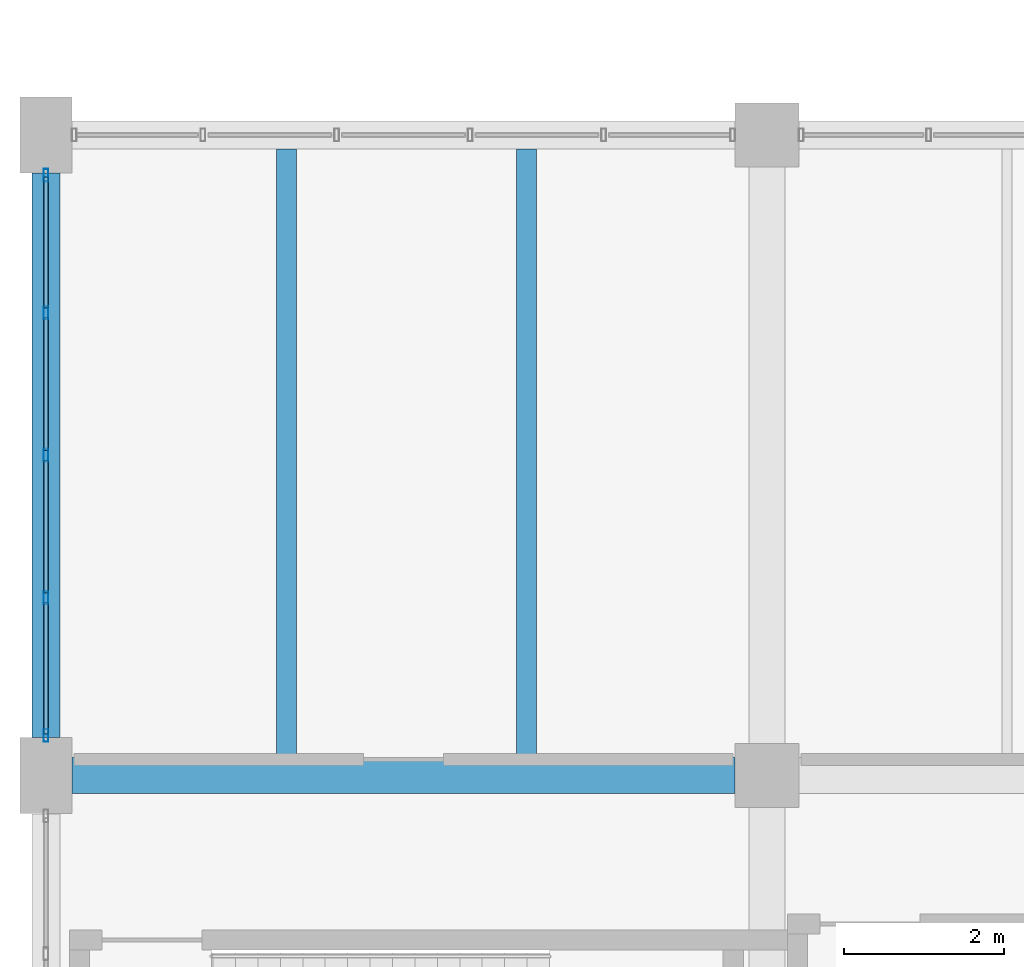
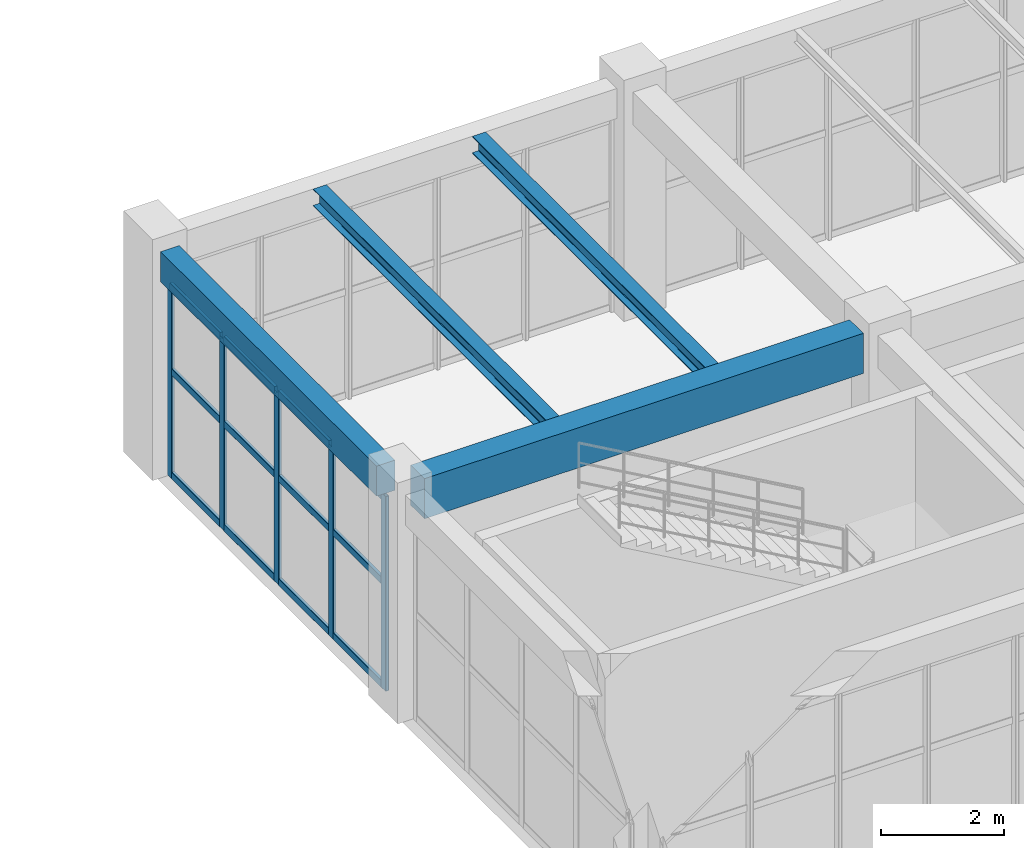
# One storey, part 13 of 178: 17 members, 4 beams, 1 element without a shape of its own.
"""IFC4 building model written with IfcOpenShell, lengths in metres."""

from ifc_helpers import new_model, si_unit, derived_unit, direction, frame, origin, origin_2d, place, context, subcontext, project, spatial, rectangle, hollow_rectangle, i_section, extrude, material, material_profile, profile_set, type_object, element, aggregate, save


model = new_model("IFC4")

# Units and contexts
model_context = context("Model", 3, precision=1e-05, world=origin(), true_north=direction((0.0, 1.0)))
body_context = subcontext(model_context, "Body", "Model", "MODEL_VIEW")
ifc_project = project(units=[si_unit("LENGTHUNIT", "METRE"), si_unit("AREAUNIT", "SQUARE_METRE"), si_unit("VOLUMEUNIT", "CUBIC_METRE"), si_unit("PLANEANGLEUNIT", "RADIAN"), si_unit("MASSUNIT", "GRAM", prefix="KILO"), derived_unit("THERMALTRANSMITTANCEUNIT", [(si_unit("MASSUNIT", "GRAM", prefix="KILO"), 1), (si_unit("TIMEUNIT", "SECOND"), -3), (si_unit("THERMODYNAMICTEMPERATUREUNIT", "KELVIN"), -1)])], contexts=[model_context])

# Site, building, storey
site_placement = place(None, origin())
site = spatial("IfcSite", under=ifc_project, at=site_placement, CompositionType="ELEMENT")
building_placement = place(site_placement, origin())
building = spatial("IfcBuilding", under=site, at=building_placement, Name="Zhenchuan Archway Interchange", CompositionType="ELEMENT")
storey_placement = place(building_placement, frame((0.0, 0.0, 5.39990234375)))
storey = spatial("IfcBuildingStorey", under=building, at=storey_placement, Name="L01", CompositionType="ELEMENT", Elevation=5.39990234375)

# Beam
ifc_material_1 = material(Name="Concrete C40", Category="concrete")
ifc_material_profile_1 = material_profile(ifc_material_1, rectangle(XDim=0.449951171875, YDim=0.800048828125, at=origin_2d()), Name="RC 450x800")
ifc_profile_set_1 = profile_set([ifc_material_profile_1], Name="Concrete C40")
beam_type_1 = type_object("IfcBeamType", Name="BM_RC_450x800", PredefinedType="BEAM", material=ifc_profile_set_1)
beam_1_placement = place(storey_placement, frame((0.324951171875, 8.0, 4.110107421875), z_axis=(1.0, 0.0, 0.0), x_axis=(0.0, 1.0, 0.0)))
element("IfcBeam", 1, at=beam_1_placement, inside=storey, type_object=beam_type_1, Name="Beam B:1-2 (L01)", PredefinedType="BEAM", context=body_context, shape_type="SweptSolid", body=[
    extrude(rectangle(XDim=0.449951171875, YDim=0.800048828125, at=origin_2d()), origin(), (0.0, 0.0, 1.0), 8.275146484375),
])

# Curtain wall, members
ifc_material_2 = material(Name="Anodised Aluminium", Category="aluminium")
curtain_wall_type = type_object("IfcCurtainWallType", Name="CW_UNIT_1", PredefinedType="NOTDEFINED", material=ifc_material_2)
curtain_wall_placement = place(storey_placement, origin())
curtain_wall = element("IfcCurtainWall", 2, at=curtain_wall_placement, inside=storey, type_object=curtain_wall_type, Name="Unitised curtain wall CW:L01:088", PredefinedType="NOTDEFINED")
ifc_material_profile_2 = material_profile(ifc_material_2, hollow_rectangle(XDim=0.06005859375, YDim=0.159912109375, WallThickness=0.00390625, InnerFilletRadius=0.00390625, OuterFilletRadius=0.008056640625, at=origin_2d()), Name="ALU 160x60x4")
ifc_profile_set_2 = profile_set([ifc_material_profile_2], Name="Anodised Aluminium")
member_type_1 = type_object("IfcMemberType", Name="CW_MUL_150", PredefinedType="MULLION", material=ifc_profile_set_2)
member_1_placement = place(storey_placement, frame((0.0, 8.5029296875, 0.0), z_axis=(0.0, 0.0, 1.0), x_axis=(1.0, 0.0, 0.0)))
member_1 = element("IfcMember", 3, at=member_1_placement, type_object=member_type_1, Name="CW:L01:088 mullion 0", PredefinedType="MULLION", context=body_context, shape_type="SweptSolid", body=[
    extrude(hollow_rectangle(XDim=0.06005859375, YDim=0.159912109375, WallThickness=0.00390625, InnerFilletRadius=0.00390625, OuterFilletRadius=0.008056640625, at=origin_2d()), origin(), (0.0, 0.0, 1.0), 3.880126953125),
])
member_2_placement = place(storey_placement, frame((0.0, 10.221435546875, 0.0), z_axis=(0.0, 0.0, 1.0), x_axis=(1.0, 0.0, 0.0)))
member_2 = element("IfcMember", 4, at=member_2_placement, type_object=member_type_1, Name="CW:L01:088 mullion 1", PredefinedType="MULLION", context=body_context, shape_type="SweptSolid", body=[
    extrude(hollow_rectangle(XDim=0.06005859375, YDim=0.159912109375, WallThickness=0.00390625, InnerFilletRadius=0.00390625, OuterFilletRadius=0.008056640625, at=origin_2d()), origin(), (0.0, 0.0, 1.0), 3.880126953125),
])
member_3_placement = place(storey_placement, frame((0.0, 12.0, 0.0), z_axis=(0.0, 0.0, 1.0), x_axis=(1.0, 0.0, 0.0)))
member_3 = element("IfcMember", 5, at=member_3_placement, type_object=member_type_1, Name="CW:L01:088 mullion 2", PredefinedType="MULLION", context=body_context, shape_type="SweptSolid", body=[
    extrude(hollow_rectangle(XDim=0.06005859375, YDim=0.159912109375, WallThickness=0.00390625, InnerFilletRadius=0.00390625, OuterFilletRadius=0.008056640625, at=origin_2d()), origin(), (0.0, 0.0, 1.0), 3.880126953125),
])
member_4_placement = place(storey_placement, frame((0.0, 13.778564453125, 0.0), z_axis=(0.0, 0.0, 1.0), x_axis=(1.0, 0.0, 0.0)))
member_4 = element("IfcMember", 6, at=member_4_placement, type_object=member_type_1, Name="CW:L01:088 mullion 3", PredefinedType="MULLION", context=body_context, shape_type="SweptSolid", body=[
    extrude(hollow_rectangle(XDim=0.06005859375, YDim=0.159912109375, WallThickness=0.00390625, InnerFilletRadius=0.00390625, OuterFilletRadius=0.008056640625, at=origin_2d()), origin(), (0.0, 0.0, 1.0), 3.880126953125),
])
member_5_placement = place(storey_placement, frame((0.0, 15.4970703125, 0.0), z_axis=(0.0, 0.0, 1.0), x_axis=(1.0, 0.0, 0.0)))
member_5 = element("IfcMember", 7, at=member_5_placement, type_object=member_type_1, Name="CW:L01:088 mullion 4", PredefinedType="MULLION", context=body_context, shape_type="SweptSolid", body=[
    extrude(hollow_rectangle(XDim=0.06005859375, YDim=0.159912109375, WallThickness=0.00390625, InnerFilletRadius=0.00390625, OuterFilletRadius=0.008056640625, at=origin_2d()), origin(), (0.0, 0.0, 1.0), 3.880126953125),
])
ifc_material_profile_3 = material_profile(ifc_material_2, hollow_rectangle(XDim=0.06005859375, YDim=0.139892578125, WallThickness=0.00341796875, InnerFilletRadius=0.00341796875, OuterFilletRadius=0.007080078125, at=origin_2d()), Name="ALU 140x60x3.5")
ifc_profile_set_3 = profile_set([ifc_material_profile_3], Name="Anodised Aluminium")
member_type_2 = type_object("IfcMemberType", Name="CW_TRN_140", PredefinedType="USERDEFINED", material=ifc_profile_set_3)
member_6_placement = place(storey_placement, frame((0.0, 8.52294921875, 0.06005859375), z_axis=(0.0, 1.0, 0.0), x_axis=(-1.0, 0.0, 0.0)))
member_6 = element("IfcMember", 8, at=member_6_placement, type_object=member_type_2, Name="CW:L01:088 transom 0-1", ObjectType="TRANSOM", PredefinedType="USERDEFINED", context=body_context, shape_type="SweptSolid", body=[
    extrude(hollow_rectangle(XDim=0.06005859375, YDim=0.139892578125, WallThickness=0.00341796875, InnerFilletRadius=0.00341796875, OuterFilletRadius=0.007080078125, at=origin_2d()), origin(), (0.0, 0.0, 1.0), 1.638671875),
])
member_7_placement = place(storey_placement, frame((0.0, 8.52294921875, 2.123046875), z_axis=(0.0, 1.0, 0.0), x_axis=(-1.0, 0.0, 0.0)))
member_7 = element("IfcMember", 9, at=member_7_placement, type_object=member_type_2, Name="CW:L01:088 transom 0-2", ObjectType="TRANSOM", PredefinedType="USERDEFINED", context=body_context, shape_type="SweptSolid", body=[
    extrude(hollow_rectangle(XDim=0.06005859375, YDim=0.139892578125, WallThickness=0.00341796875, InnerFilletRadius=0.00341796875, OuterFilletRadius=0.007080078125, at=origin_2d()), origin(), (0.0, 0.0, 1.0), 1.638671875),
])
member_8_placement = place(storey_placement, frame((0.0, 8.52294921875, 3.800048828125), z_axis=(0.0, 1.0, 0.0), x_axis=(-1.0, 0.0, 0.0)))
member_8 = element("IfcMember", 10, at=member_8_placement, type_object=member_type_2, Name="CW:L01:088 transom 0-3", ObjectType="TRANSOM", PredefinedType="USERDEFINED", context=body_context, shape_type="SweptSolid", body=[
    extrude(hollow_rectangle(XDim=0.06005859375, YDim=0.139892578125, WallThickness=0.00341796875, InnerFilletRadius=0.00341796875, OuterFilletRadius=0.007080078125, at=origin_2d()), origin(), (0.0, 0.0, 1.0), 1.638671875),
])
member_9_placement = place(storey_placement, frame((0.0, 10.281494140625, 0.06005859375), z_axis=(0.0, 1.0, 0.0), x_axis=(-1.0, 0.0, 0.0)))
member_9 = element("IfcMember", 11, at=member_9_placement, type_object=member_type_2, Name="CW:L01:088 transom 1-1", ObjectType="TRANSOM", PredefinedType="USERDEFINED", context=body_context, shape_type="SweptSolid", body=[
    extrude(hollow_rectangle(XDim=0.06005859375, YDim=0.139892578125, WallThickness=0.00341796875, InnerFilletRadius=0.00341796875, OuterFilletRadius=0.007080078125, at=origin_2d()), origin(), (0.0, 0.0, 1.0), 1.658447265625),
])
member_10_placement = place(storey_placement, frame((0.0, 10.281494140625, 2.123046875), z_axis=(0.0, 1.0, 0.0), x_axis=(-1.0, 0.0, 0.0)))
member_10 = element("IfcMember", 12, at=member_10_placement, type_object=member_type_2, Name="CW:L01:088 transom 1-2", ObjectType="TRANSOM", PredefinedType="USERDEFINED", context=body_context, shape_type="SweptSolid", body=[
    extrude(hollow_rectangle(XDim=0.06005859375, YDim=0.139892578125, WallThickness=0.00341796875, InnerFilletRadius=0.00341796875, OuterFilletRadius=0.007080078125, at=origin_2d()), origin(), (0.0, 0.0, 1.0), 1.658447265625),
])
member_11_placement = place(storey_placement, frame((0.0, 10.281494140625, 3.800048828125), z_axis=(0.0, 1.0, 0.0), x_axis=(-1.0, 0.0, 0.0)))
member_11 = element("IfcMember", 13, at=member_11_placement, type_object=member_type_2, Name="CW:L01:088 transom 1-3", ObjectType="TRANSOM", PredefinedType="USERDEFINED", context=body_context, shape_type="SweptSolid", body=[
    extrude(hollow_rectangle(XDim=0.06005859375, YDim=0.139892578125, WallThickness=0.00341796875, InnerFilletRadius=0.00341796875, OuterFilletRadius=0.007080078125, at=origin_2d()), origin(), (0.0, 0.0, 1.0), 1.658447265625),
])
member_12_placement = place(storey_placement, frame((0.0, 12.06005859375, 0.06005859375), z_axis=(0.0, 1.0, 0.0), x_axis=(-1.0, 0.0, 0.0)))
member_12 = element("IfcMember", 14, at=member_12_placement, type_object=member_type_2, Name="CW:L01:088 transom 2-1", ObjectType="TRANSOM", PredefinedType="USERDEFINED", context=body_context, shape_type="SweptSolid", body=[
    extrude(hollow_rectangle(XDim=0.06005859375, YDim=0.139892578125, WallThickness=0.00341796875, InnerFilletRadius=0.00341796875, OuterFilletRadius=0.007080078125, at=origin_2d()), origin(), (0.0, 0.0, 1.0), 1.658447265625),
])
member_13_placement = place(storey_placement, frame((0.0, 12.06005859375, 2.123046875), z_axis=(0.0, 1.0, 0.0), x_axis=(-1.0, 0.0, 0.0)))
member_13 = element("IfcMember", 15, at=member_13_placement, type_object=member_type_2, Name="CW:L01:088 transom 2-2", ObjectType="TRANSOM", PredefinedType="USERDEFINED", context=body_context, shape_type="SweptSolid", body=[
    extrude(hollow_rectangle(XDim=0.06005859375, YDim=0.139892578125, WallThickness=0.00341796875, InnerFilletRadius=0.00341796875, OuterFilletRadius=0.007080078125, at=origin_2d()), origin(), (0.0, 0.0, 1.0), 1.658447265625),
])
member_14_placement = place(storey_placement, frame((0.0, 12.06005859375, 3.800048828125), z_axis=(0.0, 1.0, 0.0), x_axis=(-1.0, 0.0, 0.0)))
member_14 = element("IfcMember", 16, at=member_14_placement, type_object=member_type_2, Name="CW:L01:088 transom 2-3", ObjectType="TRANSOM", PredefinedType="USERDEFINED", context=body_context, shape_type="SweptSolid", body=[
    extrude(hollow_rectangle(XDim=0.06005859375, YDim=0.139892578125, WallThickness=0.00341796875, InnerFilletRadius=0.00341796875, OuterFilletRadius=0.007080078125, at=origin_2d()), origin(), (0.0, 0.0, 1.0), 1.658447265625),
])
member_15_placement = place(storey_placement, frame((0.0, 13.83837890625, 0.06005859375), z_axis=(0.0, 1.0, 0.0), x_axis=(-1.0, 0.0, 0.0)))
member_15 = element("IfcMember", 17, at=member_15_placement, type_object=member_type_2, Name="CW:L01:088 transom 3-1", ObjectType="TRANSOM", PredefinedType="USERDEFINED", context=body_context, shape_type="SweptSolid", body=[
    extrude(hollow_rectangle(XDim=0.06005859375, YDim=0.139892578125, WallThickness=0.00341796875, InnerFilletRadius=0.00341796875, OuterFilletRadius=0.007080078125, at=origin_2d()), origin(), (0.0, 0.0, 1.0), 1.638671875),
])
member_16_placement = place(storey_placement, frame((0.0, 13.83837890625, 2.123046875), z_axis=(0.0, 1.0, 0.0), x_axis=(-1.0, 0.0, 0.0)))
member_16 = element("IfcMember", 18, at=member_16_placement, type_object=member_type_2, Name="CW:L01:088 transom 3-2", ObjectType="TRANSOM", PredefinedType="USERDEFINED", context=body_context, shape_type="SweptSolid", body=[
    extrude(hollow_rectangle(XDim=0.06005859375, YDim=0.139892578125, WallThickness=0.00341796875, InnerFilletRadius=0.00341796875, OuterFilletRadius=0.007080078125, at=origin_2d()), origin(), (0.0, 0.0, 1.0), 1.638671875),
])
member_17_placement = place(storey_placement, frame((0.0, 13.83837890625, 3.800048828125), z_axis=(0.0, 1.0, 0.0), x_axis=(-1.0, 0.0, 0.0)))
member_17 = element("IfcMember", 19, at=member_17_placement, type_object=member_type_2, Name="CW:L01:088 transom 3-3", ObjectType="TRANSOM", PredefinedType="USERDEFINED", context=body_context, shape_type="SweptSolid", body=[
    extrude(hollow_rectangle(XDim=0.06005859375, YDim=0.139892578125, WallThickness=0.00341796875, InnerFilletRadius=0.00341796875, OuterFilletRadius=0.007080078125, at=origin_2d()), origin(), (0.0, 0.0, 1.0), 1.638671875),
])
aggregate(curtain_wall, [member_1, member_2, member_3, member_4, member_5, member_6, member_7, member_8, member_9, member_10, member_11, member_12, member_13, member_14, member_15, member_16, member_17])

# Beams
ifc_material_3 = material(Name="Steel Q355", Category="steel")
ifc_material_profile_4 = material_profile(ifc_material_3, i_section(OverallWidth=0.25, OverallDepth=0.340087890625, WebThickness=0.009033203125, FlangeThickness=0.013916015625, FilletRadius=0.01806640625, at=origin_2d()), Name="HM 340x250")
ifc_profile_set_4 = profile_set([ifc_material_profile_4], Name="Steel Q355")
beam_type_2 = type_object("IfcBeamType", Name="JST_STL_HM340", PredefinedType="JOIST", material=ifc_profile_set_4)
for number, where, z_axis, x_axis, name in (
    (20, (3.0, 8.22509765625, 4.340087890625), (0.0, 1.0, 0.0), (-1.0, 0.0, 0.0), "Secondary joist 1-2/B-C #1 (L01)"),
    (21, (6.0, 8.22509765625, 4.340087890625), (0.0, 1.0, 0.0), (-1.0, 0.0, 0.0), "Secondary joist 1-2/B-C #2 (L01)"),
):
    element("IfcBeam", number, at=place(storey_placement, frame(where, z_axis=z_axis, x_axis=x_axis)), inside=storey, type_object=beam_type_2, Name=name, PredefinedType="JOIST", context=body_context, shape_type="SweptSolid", body=[
        extrude(i_section(OverallWidth=0.25, OverallDepth=0.340087890625, WebThickness=0.009033203125, FlangeThickness=0.013916015625, FilletRadius=0.01806640625, at=origin_2d()), origin(), (0.0, 0.0, 1.0), 7.599853515625),
    ])
ifc_material_profile_5 = material_profile(ifc_material_1, rectangle(XDim=0.35009765625, YDim=0.60009765625, at=origin_2d()), Name="RC 350x600")
ifc_profile_set_5 = profile_set([ifc_material_profile_5], Name="Concrete C40")
beam_type_3 = type_object("IfcBeamType", Name="SP_RC_350x600", PredefinedType="SPANDREL", material=ifc_profile_set_5)
beam_2_placement = place(storey_placement, frame((0.0, 8.47509765625, 4.210205078125), z_axis=(0.0, 1.0, 0.0), x_axis=(-1.0, 0.0, 0.0)))
element("IfcBeam", 22, at=beam_2_placement, inside=storey, type_object=beam_type_3, Name="Beam 1:B-C (L01)", PredefinedType="SPANDREL", context=body_context, shape_type="SweptSolid", body=[
    extrude(rectangle(XDim=0.35009765625, YDim=0.60009765625, at=origin_2d()), origin(), (0.0, 0.0, 1.0), 7.0498046875),
])

save(model, "model.ifc")
